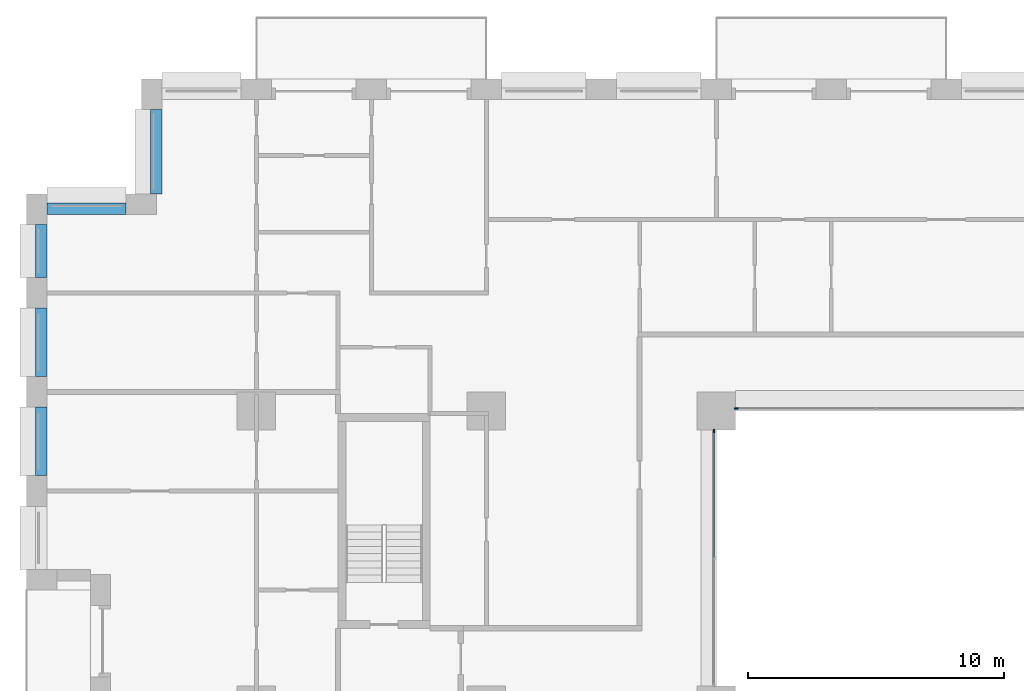
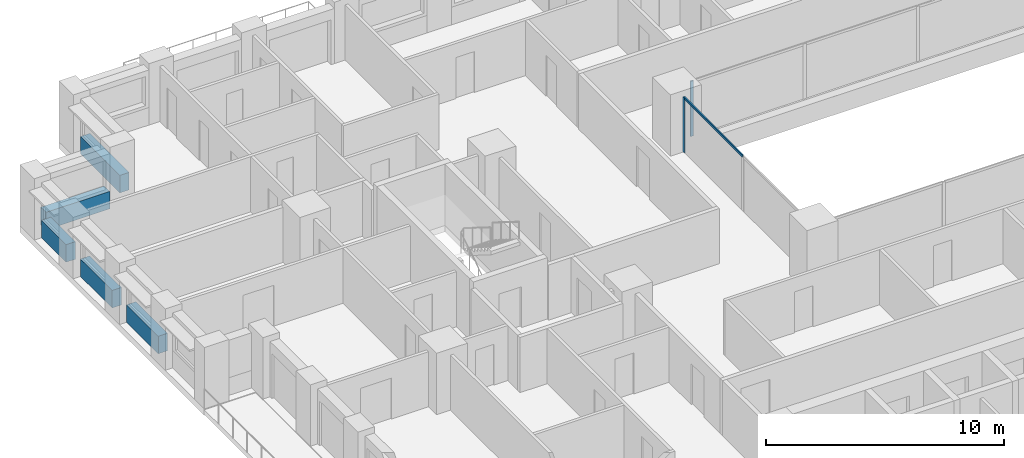
# One storey, part 5 of 19: 5 beams, 3 members, 2 elements without a shape of their own.
"""IFC4 building model written with IfcOpenShell, lengths in metres."""

from ifc_helpers import new_model, si_unit, direction, frame, origin, origin_2d, place, context, subcontext, project, spatial, rectangle, extrude, material, layer, layer_set, material_profile, profile_set, type_object, element, aggregate, save


model = new_model("IFC4")

# Units and contexts
model_context = context("Model", 3, precision=1e-05, world=origin(), true_north=direction((0.0, 1.0)))
body_context = subcontext(model_context, "Body", "Model", "MODEL_VIEW")
ifc_project = project(units=[si_unit("LENGTHUNIT", "METRE"), si_unit("AREAUNIT", "SQUARE_METRE"), si_unit("VOLUMEUNIT", "CUBIC_METRE"), si_unit("PLANEANGLEUNIT", "RADIAN"), si_unit("MASSUNIT", "GRAM", prefix="KILO")], contexts=[model_context])

# Site, building, storey
site_placement = place(None, origin())
site = spatial("IfcSite", under=ifc_project, at=site_placement, CompositionType="ELEMENT")
building_placement = place(site_placement, origin())
building = spatial("IfcBuilding", under=site, at=building_placement, Name="Brigalow Station Residences", CompositionType="ELEMENT")
storey_placement = place(building_placement, frame((0.0, 0.0, 35.25)))
storey = spatial("IfcBuildingStorey", under=building, at=storey_placement, Name="L09", CompositionType="ELEMENT", Elevation=35.25)

# Curtain wall, member
ifc_material_1 = material(Name="Aluminium", Category="aluminium")
ifc_layer = layer(ifc_material_1, 0.14990234375)
ifc_layer_set = layer_set([ifc_layer], Name="ATRIUM FIRE-RATED GLAZING CURTAIN WALL")
curtain_wall_type = type_object("IfcCurtainWallType", Name="ATRIUM FIRE-RATED GLAZING CURTAIN WALL", PredefinedType="NOTDEFINED", material=ifc_layer_set)
curtain_wall_1_placement = place(storey_placement, origin())
curtain_wall_1 = element("IfcCurtainWall", 1, at=curtain_wall_1_placement, inside=storey, type_object=curtain_wall_type, Name="L09/cw/atrium-N", PredefinedType="NOTDEFINED")
ifc_material_2 = material(Name="Aluminium", Category="aluminium")
ifc_material_profile_1 = material_profile(ifc_material_2, rectangle(XDim=0.06005859375, YDim=0.14990234375, at=origin_2d()), Name="ATRIUM FIRE-RATED GLAZING MULLION 60x150")
ifc_profile_set_1 = profile_set([ifc_material_profile_1], Name="Aluminium")
member_type_1 = type_object("IfcMemberType", Name="ATRIUM FIRE-RATED GLAZING MULLION 60x150", PredefinedType="MULLION", material=ifc_profile_set_1)
member_1_placement = place(storey_placement, frame((27.780029296875, 35.60009765625, 0.0), z_axis=(0.0, 0.0, 1.0), x_axis=(0.0, -1.0, 0.0)))
member_1 = element("IfcMember", 2, at=member_1_placement, type_object=member_type_1, Name="L09/cw/atrium-N/M03", PredefinedType="MULLION", context=body_context, shape_type="SweptSolid", body=[
    extrude(rectangle(XDim=0.06005859375, YDim=0.14990234375, at=origin_2d()), origin(), (0.0, 0.0, 1.0), 2.830078125),
])
aggregate(curtain_wall_1, [member_1])

# Curtain wall, members
curtain_wall_2_placement = place(storey_placement, origin())
curtain_wall_2 = element("IfcCurtainWall", 3, at=curtain_wall_2_placement, inside=storey, type_object=curtain_wall_type, Name="L09/cw/atrium-W", PredefinedType="NOTDEFINED")
member_2_placement = place(storey_placement, frame((26.89990234375, 34.719970703125, 0.0), z_axis=(0.0, 0.0, 1.0), x_axis=(1.0, 0.0, 0.0)))
member_2 = element("IfcMember", 4, at=member_2_placement, type_object=member_type_1, Name="L09/cw/atrium-W/M00", PredefinedType="MULLION", context=body_context, shape_type="SweptSolid", body=[
    extrude(rectangle(XDim=0.06005859375, YDim=0.14990234375, at=origin_2d()), origin(), (0.0, 0.0, 1.0), 2.830078125),
])
ifc_material_3 = material(Name="Aluminium", Category="aluminium")
ifc_material_profile_2 = material_profile(ifc_material_3, rectangle(XDim=0.06005859375, YDim=0.1201171875, at=origin_2d()), Name="ATRIUM FIRE-RATED GLAZING TRANSOM 60x120")
ifc_profile_set_2 = profile_set([ifc_material_profile_2], Name="Aluminium")
member_type_2 = type_object("IfcMemberType", Name="ATRIUM FIRE-RATED GLAZING TRANSOM 60x120", PredefinedType="USERDEFINED", material=ifc_profile_set_2)
member_3_placement = place(storey_placement, frame((26.89990234375, 34.68994140625, 2.800048828125), z_axis=(0.0, -1.0, 0.0), x_axis=(1.0, 0.0, 0.0)))
member_3 = element("IfcMember", 5, at=member_3_placement, type_object=member_type_2, Name="L09/cw/atrium-W/T00-00", ObjectType="TRANSOM", PredefinedType="USERDEFINED", context=body_context, shape_type="SweptSolid", body=[
    extrude(rectangle(XDim=0.06005859375, YDim=0.1201171875, at=origin_2d()), origin(), (0.0, 0.0, 1.0), 4.909912109375),
])
aggregate(curtain_wall_2, [member_2, member_3])

# Beams
ifc_material_4 = material(Name="Concrete C65", Category="concrete")
ifc_material_profile_3 = material_profile(ifc_material_4, rectangle(XDim=0.449951171875, YDim=0.89990234375, at=origin_2d()), Name="RC450x900")
ifc_profile_set_3 = profile_set([ifc_material_profile_3], Name="Concrete C65")
beam_type = type_object("IfcBeamType", Name="SPANDREL BEAM 450x900 C65", PredefinedType="SPANDREL", material=ifc_profile_set_3)
beam_1_placement = place(storey_placement, frame((5.074951171875, 47.300048828125, 0.449951171875), z_axis=(0.0, -1.0, 0.0), x_axis=(1.0, 0.0, 0.0)))
element("IfcBeam", 6, at=beam_1_placement, inside=storey, type_object=beam_type, Name="L09/spandrel/W-L09-40", PredefinedType="SPANDREL", context=body_context, shape_type="SweptSolid", body=[
    extrude(rectangle(XDim=0.449951171875, YDim=0.89990234375, at=origin_2d()), origin(), (0.0, 0.0, 1.0), 3.300048828125),
])
beam_2_placement = place(storey_placement, frame((3.89990234375, 43.425048828125, 0.449951171875), z_axis=(-1.0, 0.0, 0.0), x_axis=(0.0, -1.0, 0.0)))
element("IfcBeam", 7, at=beam_2_placement, inside=storey, type_object=beam_type, Name="L09/spandrel/W-L09-41", PredefinedType="SPANDREL", context=body_context, shape_type="SweptSolid", body=[
    extrude(rectangle(XDim=0.449951171875, YDim=0.89990234375, at=origin_2d()), origin(), (0.0, 0.0, 1.0), 3.099853515625),
])
beam_3_placement = place(storey_placement, frame((0.574951171875, 42.800048828125, 0.449951171875), z_axis=(0.0, -1.0, 0.0), x_axis=(1.0, 0.0, 0.0)))
element("IfcBeam", 8, at=beam_3_placement, inside=storey, type_object=beam_type, Name="L09/spandrel/W-L09-42", PredefinedType="SPANDREL", context=body_context, shape_type="SweptSolid", body=[
    extrude(rectangle(XDim=0.449951171875, YDim=0.89990234375, at=origin_2d()), origin(), (0.0, 0.0, 1.0), 2.074951171875),
])
for number, where, z_axis, x_axis, name in (
    (9, (0.574951171875, 39.52490234375, 0.449951171875), (0.0, -1.0, 0.0), (1.0, 0.0, 0.0), "L09/spandrel/W-L09-43"),
    (10, (0.574951171875, 35.64990234375, 0.449951171875), (0.0, -1.0, 0.0), (1.0, 0.0, 0.0), "L09/spandrel/W-L09-44"),
):
    element("IfcBeam", number, at=place(storey_placement, frame(where, z_axis=z_axis, x_axis=x_axis)), inside=storey, type_object=beam_type, Name=name, PredefinedType="SPANDREL", context=body_context, shape_type="SweptSolid", body=[
        extrude(rectangle(XDim=0.449951171875, YDim=0.89990234375, at=origin_2d()), origin(), (0.0, 0.0, 1.0), 2.6748046875),
    ])

save(model, "model.ifc")
